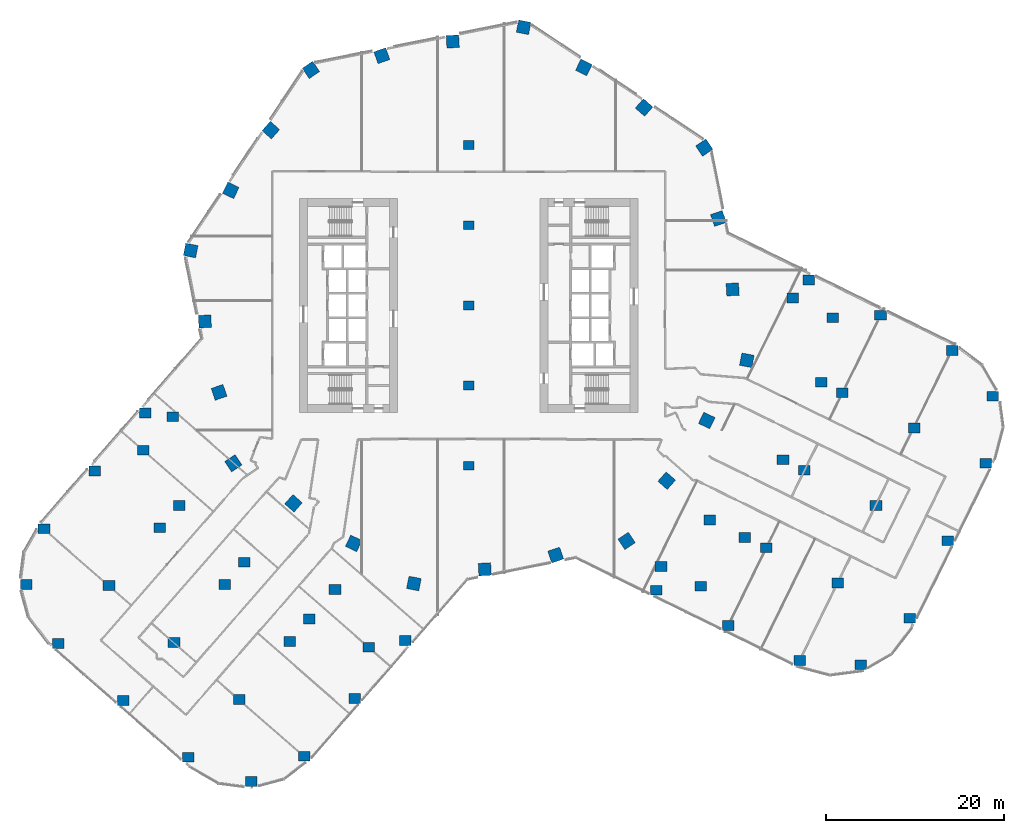
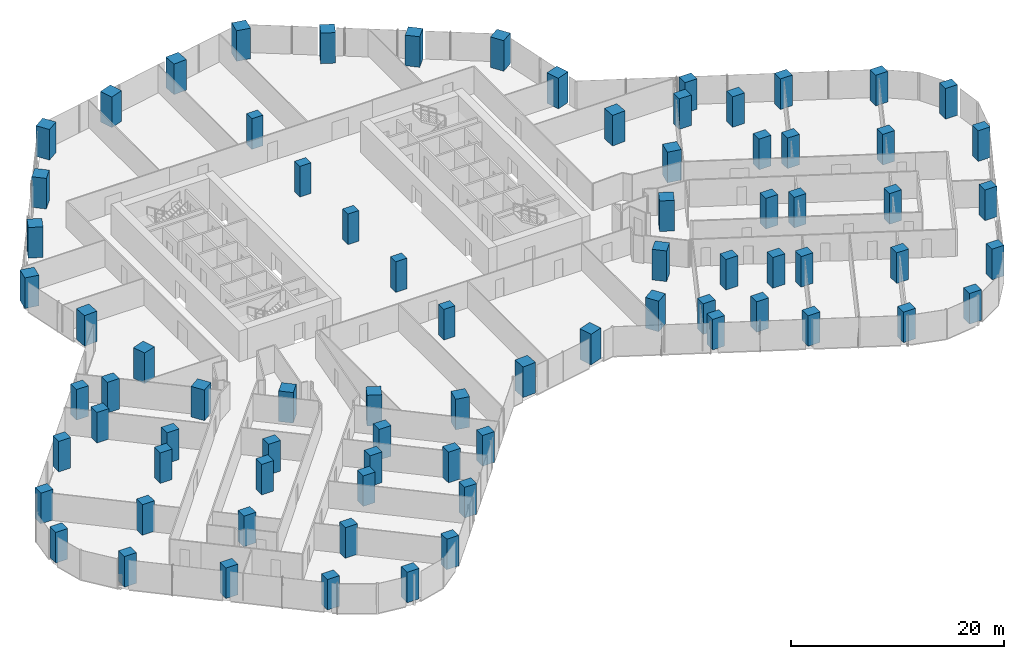
# One storey, part 1 of 38: 78 columns.
"""IFC4 building model written with IfcOpenShell, lengths in metres."""

from ifc_helpers import new_model, si_unit, direction, frame, origin, origin_2d, place, context, subcontext, project, spatial, rectangle, extrude, material, material_profile, profile_set, type_object, element, save


model = new_model("IFC4")

# Units and contexts
model_context = context("Model", 3, precision=1e-05, world=origin(), true_north=direction((0.0, 1.0)))
body_context = subcontext(model_context, "Body", "Model", "MODEL_VIEW")
ifc_project = project(units=[si_unit("LENGTHUNIT", "METRE"), si_unit("AREAUNIT", "SQUARE_METRE"), si_unit("VOLUMEUNIT", "CUBIC_METRE"), si_unit("PLANEANGLEUNIT", "RADIAN"), si_unit("MASSUNIT", "GRAM", prefix="KILO")], contexts=[model_context])

# Site, building, storey
site_placement = place(None, origin())
site = spatial("IfcSite", under=ifc_project, at=site_placement, CompositionType="ELEMENT")
building_placement = place(site_placement, origin())
building = spatial("IfcBuilding", under=site, at=building_placement, Name="Orlundy Tower", CompositionType="ELEMENT")
storey_placement = place(building_placement, frame((0.0, 0.0, 65.800048828125)))
storey = spatial("IfcBuildingStorey", under=building, at=storey_placement, Name="L15", CompositionType="ELEMENT", Elevation=65.800048828125)

# Columns
ifc_material_1 = material(Name="Concrete C80/95", Category="concrete")
ifc_material_profile_1 = material_profile(ifc_material_1, rectangle(XDim=1.199951171875, YDim=1.0, at=origin_2d()), Name="RC1200X1000")
ifc_profile_set_1 = profile_set([ifc_material_profile_1], Name="Concrete C80/95")
column_type_1 = type_object("IfcColumnType", Name="RC COLUMN RC1200X1000 C80/95", PredefinedType="COLUMN", material=ifc_profile_set_1)
for number, where, z_axis, x_axis, name in (
    (1, (0.0, -18.0, 0.0), (0.0, 0.0, 1.0), (1.0, 0.0, 0.0), "Column C-M1 L15"),
    (2, (0.0, -9.0, 0.0), (0.0, 0.0, 1.0), (1.0, 0.0, 0.0), "Column C-M2 L15"),
    (3, (0.0, 0.0, 0.0), (0.0, 0.0, 1.0), (1.0, 0.0, 0.0), "Column C-M3 L15"),
    (4, (0.0, 9.0, 0.0), (0.0, 0.0, 1.0), (1.0, 0.0, 0.0), "Column C-M4 L15"),
    (5, (0.0, 18.0, 0.0), (0.0, 0.0, 1.0), (1.0, 0.0, 0.0), "Column C-M5 L15"),
):
    element("IfcColumn", number, at=place(storey_placement, frame(where, z_axis=z_axis, x_axis=x_axis)), inside=storey, type_object=column_type_1, Name=name, PredefinedType="COLUMN", context=body_context, shape_type="SweptSolid", body=[
        extrude(rectangle(XDim=1.199951171875, YDim=1.0, at=origin_2d()), origin(), (0.0, 0.0, 1.0), 3.5),
    ])
ifc_material_2 = material(Name="Concrete C80/95", Category="concrete")
ifc_material_profile_2 = material_profile(ifc_material_2, rectangle(XDim=1.300048828125, YDim=1.10009765625, at=origin_2d()), Name="RC1300X1100")
ifc_profile_set_2 = profile_set([ifc_material_profile_2], Name="Concrete C80/95")
column_type_2 = type_object("IfcColumnType", Name="RC COLUMN RC1300X1100 C80/95", PredefinedType="COLUMN", material=ifc_profile_set_2)
for number, where, z_axis, x_axis, name in (
    (6, (21.06298828125, -31.964111328125, 0.0), (0.0, 0.0, 1.0), (1.0, 0.0, 0.0), "Column C-A1-1 L15"),
    (7, (29.111083984375, -35.91796875, 0.0), (0.0, 0.0, 1.0), (1.0, 0.0, 0.0), "Column C-A1-2 L15"),
    (8, (37.157958984375, -39.873046875, 0.0), (0.0, 0.0, 1.0), (1.0, 0.0, 0.0), "Column C-A1-3 L15"),
    (9, (44.01611328125, -40.337890625, 0.0), (0.0, 0.0, 1.0), (1.0, 0.0, 0.0), "Column C-A1-5 L15"),
    (10, (26.06591796875, -31.51806640625, 0.0), (0.0, 0.0, 1.0), (1.0, 0.0, 0.0), "Column C-A1-6 L15"),
    (11, (21.577880859375, -29.31298828125, 0.0), (0.0, 0.0, 1.0), (1.0, 0.0, 0.0), "Column C-A1-7 L15"),
    (12, (33.387939453125, -27.212890625, 0.0), (0.0, 0.0, 1.0), (1.0, 0.0, 0.0), "Column C-A2-2 L15"),
    (13, (41.43603515625, -31.1669921875, 0.0), (0.0, 0.0, 1.0), (1.0, 0.0, 0.0), "Column C-A2-3 L15"),
    (14, (49.48388671875, -35.12109375, 0.0), (0.0, 0.0, 1.0), (1.0, 0.0, 0.0), "Column C-A2-5 L15"),
    (15, (30.9951171875, -26.037109375, 0.0), (0.0, 0.0, 1.0), (1.0, 0.0, 0.0), "Column C-A2-6 L15"),
    (16, (27.0458984375, -24.095947265625, 0.0), (0.0, 0.0, 1.0), (1.0, 0.0, 0.0), "Column C-A2-7 L15"),
    (17, (37.666015625, -18.507080078125, 0.0), (0.0, 0.0, 1.0), (1.0, 0.0, 0.0), "Column C-A3-2 L15"),
    (18, (45.712890625, -22.4609375, 0.0), (0.0, 0.0, 1.0), (1.0, 0.0, 0.0), "Column C-A3-3 L15"),
    (19, (53.760986328125, -26.4150390625, 0.0), (0.0, 0.0, 1.0), (1.0, 0.0, 0.0), "Column C-A3-5 L15"),
    (20, (35.27197265625, -17.3310546875, 0.0), (0.0, 0.0, 1.0), (1.0, 0.0, 0.0), "Column C-A3-6 L15"),
    (21, (41.943115234375, -9.801025390625, 0.0), (0.0, 0.0, 1.0), (1.0, 0.0, 0.0), "Column C-A4-2 L15"),
    (22, (49.990966796875, -13.7548828125, 0.0), (0.0, 0.0, 1.0), (1.0, 0.0, 0.0), "Column C-A4-3 L15"),
    (23, (58.0390625, -17.708984375, 0.0), (0.0, 0.0, 1.0), (1.0, 0.0, 0.0), "Column C-A4-5 L15"),
    (24, (39.550048828125, -8.625, 0.0), (0.0, 0.0, 1.0), (1.0, 0.0, 0.0), "Column C-A4-6 L15"),
    (25, (38.173095703125, 2.85888671875, 0.0), (0.0, 0.0, 1.0), (1.0, 0.0, 0.0), "Column C-A5-1 L15"),
    (26, (46.220947265625, -1.094970703125, 0.0), (0.0, 0.0, 1.0), (1.0, 0.0, 0.0), "Column C-A5-2 L15"),
    (27, (54.26904296875, -5.049072265625, 0.0), (0.0, 0.0, 1.0), (1.0, 0.0, 0.0), "Column C-A5-3 L15"),
    (28, (58.826904296875, -10.193115234375, 0.0), (0.0, 0.0, 1.0), (1.0, 0.0, 0.0), "Column C-A5-5 L15"),
    (29, (40.876953125, -1.3740234375, 0.0), (0.0, 0.0, 1.0), (1.0, 0.0, 0.0), "Column C-A5-6 L15"),
    (30, (36.388916015625, 0.8310546875, 0.0), (0.0, 0.0, 1.0), (1.0, 0.0, 0.0), "Column C-A5-7 L15"),
    (31, (-36.326904296875, -12.072021484375, 0.0), (0.0, 0.0, 1.0), (1.0, 0.0, 0.0), "Column C-B1-1 L15"),
    (32, (-42.009033203125, -18.571044921875, 0.0), (0.0, 0.0, 1.0), (1.0, 0.0, 0.0), "Column C-B1-2 L15"),
    (33, (-47.68896484375, -25.072998046875, 0.0), (0.0, 0.0, 1.0), (1.0, 0.0, 0.0), "Column C-B1-3 L15"),
    (34, (-49.697021484375, -31.322998046875, 0.0), (0.0, 0.0, 1.0), (1.0, 0.0, 0.0), "Column C-B1-5 L15"),
    (35, (-36.531982421875, -16.26708984375, 0.0), (0.0, 0.0, 1.0), (1.0, 0.0, 0.0), "Column C-B1-6 L15"),
    (36, (-33.240966796875, -12.5029296875, 0.0), (0.0, 0.0, 1.0), (1.0, 0.0, 0.0), "Column C-B1-7 L15"),
    (37, (-34.70703125, -24.9560546875, 0.0), (0.0, 0.0, 1.0), (1.0, 0.0, 0.0), "Column C-B2-2 L15"),
    (38, (-40.389892578125, -31.4560546875, 0.0), (0.0, 0.0, 1.0), (1.0, 0.0, 0.0), "Column C-B2-3 L15"),
    (39, (-46.072998046875, -37.955078125, 0.0), (0.0, 0.0, 1.0), (1.0, 0.0, 0.0), "Column C-B2-5 L15"),
    (40, (-32.512939453125, -22.447021484375, 0.0), (0.0, 0.0, 1.0), (1.0, 0.0, 0.0), "Column C-B2-6 L15"),
    (41, (-27.405029296875, -31.341064453125, 0.0), (0.0, 0.0, 1.0), (1.0, 0.0, 0.0), "Column C-B3-2 L15"),
    (42, (-33.087890625, -37.841064453125, 0.0), (0.0, 0.0, 1.0), (1.0, 0.0, 0.0), "Column C-B3-3 L15"),
    (43, (-38.77099609375, -44.340087890625, 0.0), (0.0, 0.0, 1.0), (1.0, 0.0, 0.0), "Column C-B3-5 L15"),
    (44, (-25.2109375, -28.83203125, 0.0), (0.0, 0.0, 1.0), (1.0, 0.0, 0.0), "Column C-B3-6 L15"),
    (45, (-20.10302734375, -37.72705078125, 0.0), (0.0, 0.0, 1.0), (1.0, 0.0, 0.0), "Column C-B4-2 L15"),
    (46, (-25.785888671875, -44.22607421875, 0.0), (0.0, 0.0, 1.0), (1.0, 0.0, 0.0), "Column C-B4-3 L15"),
    (47, (-31.468994140625, -50.72509765625, 0.0), (0.0, 0.0, 1.0), (1.0, 0.0, 0.0), "Column C-B4-5 L15"),
    (48, (-17.908935546875, -35.217041015625, 0.0), (0.0, 0.0, 1.0), (1.0, 0.0, 0.0), "Column C-B4-6 L15"),
    (49, (-15.012939453125, -31.905029296875, 0.0), (0.0, 0.0, 1.0), (1.0, 0.0, 0.0), "Column C-B4-7 L15"),
    (50, (-7.117919921875, -37.612060546875, 0.0), (0.0, 0.0, 1.0), (1.0, 0.0, 0.0), "Column C-B5-1 L15"),
    (51, (-12.801025390625, -44.112060546875, 0.0), (0.0, 0.0, 1.0), (1.0, 0.0, 0.0), "Column C-B5-2 L15"),
    (52, (-18.487060546875, -50.60791015625, 0.0), (0.0, 0.0, 1.0), (1.0, 0.0, 0.0), "Column C-B5-3 L15"),
    (53, (-24.4130859375, -53.431884765625, 0.0), (0.0, 0.0, 1.0), (1.0, 0.0, 0.0), "Column C-B5-5 L15"),
    (54, (-11.248046875, -38.3759765625, 0.0), (0.0, 0.0, 1.0), (1.0, 0.0, 0.0), "Column C-B5-6 L15"),
):
    element("IfcColumn", number, at=place(storey_placement, frame(where, z_axis=z_axis, x_axis=x_axis)), inside=storey, type_object=column_type_2, Name=name, PredefinedType="COLUMN", context=body_context, shape_type="SweptSolid", body=[
        extrude(rectangle(XDim=1.300048828125, YDim=1.10009765625, at=origin_2d()), origin(), (0.0, 0.0, 1.0), 3.5),
    ])
ifc_material_3 = material(Name="Concrete C80/95", Category="concrete")
ifc_material_profile_3 = material_profile(ifc_material_3, rectangle(XDim=1.39990234375, YDim=1.39990234375, at=origin_2d()), Name="RC1400X1400")
ifc_profile_set_3 = profile_set([ifc_material_profile_3], Name="Concrete C80/95")
column_type_3 = type_object("IfcColumnType", Name="RC COLUMN RC1400X1400 C80/95", PredefinedType="COLUMN", material=ifc_profile_set_3)
for number, where, z_axis, x_axis, name in (
    (55, (26.43408203125, 17.718017578125, 0.0), (0.0, 0.0, 1.0), (0.830663928188, 0.5567741359, 0.0), "Column C-H01 L15"),
    (56, (28.029052734375, 9.758056640625, 0.0), (0.0, 0.0, 1.0), (0.94440506567, 0.328784233101, 0.0), "Column C-H02 L15"),
    (57, (29.6240234375, 1.797119140625, 0.0), (0.0, 0.0, 1.0), (0.99816557001, 0.060543330317, 0.0), "Column C-H03 L15"),
    (58, (31.219970703125, -6.1630859375, 0.0), (0.0, 0.0, 1.0), (0.981066863593, -0.193669329425, 0.0), "Column C-H04 L15"),
    (59, (26.718994140625, -12.919921875, 0.0), (0.0, 0.0, 1.0), (0.900273189172, -0.435325378147, 0.0), "Column C-H05 L15"),
    (60, (22.218994140625, -19.677001953125, 0.0), (0.0, 0.0, 1.0), (0.748631814126, -0.66298597789, 0.0), "Column C-H06 L15"),
    (61, (17.718017578125, -26.43408203125, 0.0), (0.0, 0.0, 1.0), (0.5567741359, -0.830663928188, 0.0), "Column C-H07 L15"),
    (62, (9.758056640625, -28.029052734375, 0.0), (0.0, 0.0, 1.0), (0.328784233101, -0.94440506567, 0.0), "Column C-H08 L15"),
    (63, (1.797119140625, -29.6240234375, 0.0), (0.0, 0.0, 1.0), (0.060543330317, -0.99816557001, 0.0), "Column C-H09 L15"),
    (64, (-6.1630859375, -31.219970703125, 0.0), (0.0, 0.0, 1.0), (-0.193669329425, -0.981066863593, 0.0), "Column C-H10 L15"),
    (65, (-12.919921875, -26.718994140625, 0.0), (0.0, 0.0, 1.0), (-0.435325378147, -0.900273189172, 0.0), "Column C-H11 L15"),
    (66, (-19.677001953125, -22.218994140625, 0.0), (0.0, 0.0, 1.0), (-0.66298597789, -0.748631814126, 0.0), "Column C-H12 L15"),
    (67, (-26.43408203125, -17.718017578125, 0.0), (0.0, 0.0, 1.0), (-0.830663928188, -0.5567741359, 0.0), "Column C-H13 L15"),
    (68, (-28.029052734375, -9.758056640625, 0.0), (0.0, 0.0, 1.0), (-0.94440506567, -0.328784233101, 0.0), "Column C-H14 L15"),
    (69, (-29.6240234375, -1.797119140625, 0.0), (0.0, 0.0, 1.0), (-0.99816557001, -0.060543330317, 0.0), "Column C-H15 L15"),
    (70, (-31.219970703125, 6.1630859375, 0.0), (0.0, 0.0, 1.0), (-0.981066863593, 0.193669329425, 0.0), "Column C-H16 L15"),
    (71, (-26.718994140625, 12.919921875, 0.0), (0.0, 0.0, 1.0), (-0.900273189172, 0.435325378147, 0.0), "Column C-H17 L15"),
    (72, (-22.218994140625, 19.677001953125, 0.0), (0.0, 0.0, 1.0), (-0.748631814126, 0.66298597789, 0.0), "Column C-H18 L15"),
    (73, (-17.718017578125, 26.43408203125, 0.0), (0.0, 0.0, 1.0), (-0.5567741359, 0.830663928188, 0.0), "Column C-H19 L15"),
    (74, (-9.758056640625, 28.029052734375, 0.0), (0.0, 0.0, 1.0), (-0.328784233101, 0.94440506567, 0.0), "Column C-H20 L15"),
    (75, (-1.797119140625, 29.6240234375, 0.0), (0.0, 0.0, 1.0), (-0.060543330317, 0.99816557001, 0.0), "Column C-H21 L15"),
    (76, (6.1630859375, 31.219970703125, 0.0), (0.0, 0.0, 1.0), (0.193669329425, 0.981066863593, 0.0), "Column C-H22 L15"),
    (77, (12.919921875, 26.718994140625, 0.0), (0.0, 0.0, 1.0), (0.435325378147, 0.900273189172, 0.0), "Column C-H23 L15"),
    (78, (19.677001953125, 22.218994140625, 0.0), (0.0, 0.0, 1.0), (0.66298597789, 0.748631814126, 0.0), "Column C-H24 L15"),
):
    element("IfcColumn", number, at=place(storey_placement, frame(where, z_axis=z_axis, x_axis=x_axis)), inside=storey, type_object=column_type_3, Name=name, PredefinedType="COLUMN", context=body_context, shape_type="SweptSolid", body=[
        extrude(rectangle(XDim=1.39990234375, YDim=1.39990234375, at=origin_2d()), origin(), (0.0, 0.0, 1.0), 3.5),
    ])

save(model, "model.ifc")
